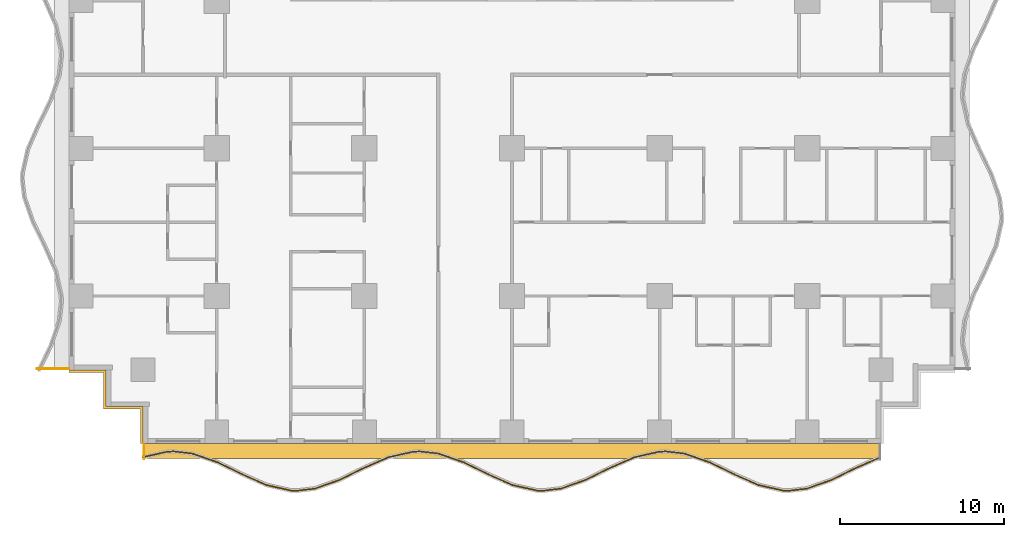
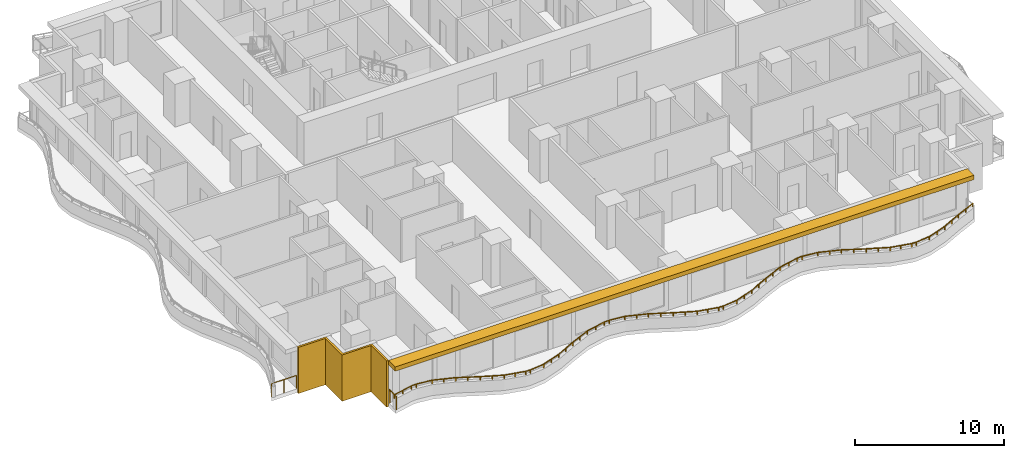
# One storey, part 8 of 14: 3 railings, 2 shading devices.
"""IFC4 building model written with IfcOpenShell, lengths in metres."""

from ifc_helpers import new_model, si_unit, direction, frame, origin, origin_2d, place, context, subcontext, project, spatial, polyline, rectangle, outline, extrude, material, layer, layer_set, type_object, element, save


model = new_model("IFC4")

# Units and contexts
model_context = context("Model", 3, precision=1e-05, world=origin(), true_north=direction((0.0, 1.0)))
body_context = subcontext(model_context, "Body", "Model", "MODEL_VIEW")
ifc_project = project(units=[si_unit("LENGTHUNIT", "METRE"), si_unit("AREAUNIT", "SQUARE_METRE"), si_unit("VOLUMEUNIT", "CUBIC_METRE"), si_unit("PLANEANGLEUNIT", "RADIAN"), si_unit("MASSUNIT", "GRAM", prefix="KILO")], contexts=[model_context])

# Site, building, storey
site_placement = place(None, origin())
site = spatial("IfcSite", under=ifc_project, at=site_placement, CompositionType="ELEMENT")
building_placement = place(site_placement, origin())
building = spatial("IfcBuilding", under=site, at=building_placement, Name="Orbiselva Terraces", CompositionType="ELEMENT")
storey_placement = place(building_placement, frame((0.0, 0.0, 34.0)))
storey = spatial("IfcBuildingStorey", under=building, at=storey_placement, Name="L08", CompositionType="ELEMENT", Elevation=34.0)

# Railings
ifc_material_1 = material(Name="Bonded two-ply safety glass balustrade, stainless steel posts", Category="steel")
railing_type_1 = type_object("IfcRailingType", Name="ENV-BALUSTRADE-1200", PredefinedType="BALUSTRADE", material=ifc_material_1)
railing_1_placement = place(storey_placement, frame((-22.527377, -23.329507, 0.9)))
element("IfcRailing", 1, at=railing_1_placement, inside=storey, type_object=railing_type_1, Name="Balcony balustrade L08 S", PredefinedType="BALUSTRADE", context=body_context, shape_type="SweptSolid", body=[
    extrude(outline(polyline([(0.028868, 0.0), (0.014434, 0.025), (-0.014434, 0.025), (-0.028868, 0.0), (-0.014434, -0.025), (0.014434, -0.025), (0.028868, 0.0)])), frame((0.0, 0.0, 0.275), z_axis=(0.97572138316, 0.219015484484, 0.0), x_axis=(-0.219015484484, 0.97572138316, 0.0)), (0.0, 0.0, 1.0), 1.548694),
    extrude(outline(polyline([(0.028868, 0.0), (0.014434, 0.025), (-0.014434, 0.025), (-0.028868, 0.0), (-0.014434, -0.025), (0.014434, -0.025), (0.028868, 0.0)])), frame((1.511094, 0.339188, 0.275), z_axis=(0.999224734286, 0.03936915532, 0.0), x_axis=(-0.03936915532, 0.999224734286, 0.0)), (0.0, 0.0, 1.0), 0.396376),
    extrude(outline(polyline([(0.028868, 0.0), (0.014434, 0.025), (-0.014434, 0.025), (-0.028868, 0.0), (-0.014434, -0.025), (0.014434, -0.025), (0.028868, 0.0)])), frame((1.907163, 0.354793, 0.275), z_axis=(0.993309551734, -0.115482182324, 0.0), x_axis=(0.115482182324, 0.993309551734, 0.0)), (0.0, 0.0, 1.0), 1.156135),
    extrude(outline(polyline([(0.028868, 0.0), (0.014434, 0.025), (-0.014434, 0.025), (-0.028868, 0.0), (-0.014434, -0.025), (0.014434, -0.025), (0.028868, 0.0)])), frame((3.055563, 0.22128, 0.275), z_axis=(0.943972332783, -0.330024597479, 0.0), x_axis=(0.330024597479, 0.943972332783, 0.0)), (0.0, 0.0, 1.0), 1.610253),
    extrude(outline(polyline([(0.028868, 0.0), (0.014434, 0.025), (-0.014434, 0.025), (-0.028868, 0.0), (-0.014434, -0.025), (0.014434, -0.025), (0.028868, 0.0)])), frame((4.575597, -0.310143, 0.275), z_axis=(0.898578870221, -0.438812048596, 0.0), x_axis=(0.438812048596, 0.898578870221, 0.0)), (0.0, 0.0, 1.0), 1.674225),
    extrude(outline(polyline([(0.028868, 0.0), (0.014434, 0.025), (-0.014434, 0.025), (-0.028868, 0.0), (-0.014434, -0.025), (0.014434, -0.025), (0.028868, 0.0)])), frame((6.08002, -1.044813, 0.275), z_axis=(0.915133363686, -0.403151245402, 0.0), x_axis=(0.403151245402, 0.915133363686, 0.0)), (0.0, 0.0, 1.0), 1.624475),
    extrude(outline(polyline([(0.028868, 0.0), (0.014434, 0.025), (-0.014434, 0.025), (-0.028868, 0.0), (-0.014434, -0.025), (0.014434, -0.025), (0.028868, 0.0)])), frame((7.566631, -1.699722, 0.275), z_axis=(0.975721325753, -0.219015740235, 0.0), x_axis=(0.219015740235, 0.975721325753, 0.0)), (0.0, 0.0, 1.0), 1.513782),
    extrude(outline(polyline([(0.028868, 0.0), (0.014434, 0.025), (-0.014434, 0.025), (-0.028868, 0.0), (-0.014434, -0.025), (0.014434, -0.025), (0.028868, 0.0)])), frame((9.04366, -2.031264, 0.275), z_axis=(0.999224931454, -0.039364150694, 0.0), x_axis=(0.039364150694, 0.999224931454, 0.0)), (0.0, 0.0, 1.0), 0.354206),
    extrude(outline(polyline([(0.028868, 0.0), (0.014434, 0.025), (-0.014434, 0.025), (-0.028868, 0.0), (-0.014434, -0.025), (0.014434, -0.025), (0.028868, 0.0)])), frame((9.397591, -2.045207, 0.275), z_axis=(0.993309658409, 0.115481264762, 0.0), x_axis=(-0.115481264762, 0.993309658409, 0.0)), (0.0, 0.0, 1.0), 1.10902),
    extrude(outline(polyline([(0.028868, 0.0), (0.014434, 0.025), (-0.014434, 0.025), (-0.028868, 0.0), (-0.014434, -0.025), (0.014434, -0.025), (0.028868, 0.0)])), frame((10.499191, -1.917136, 0.275), z_axis=(0.943972277814, 0.330024754707, 0.0), x_axis=(-0.330024754707, 0.943972277814, 0.0)), (0.0, 0.0, 1.0), 1.567807),
    extrude(outline(polyline([(0.028868, 0.0), (0.014434, 0.025), (-0.014434, 0.025), (-0.028868, 0.0), (-0.014434, -0.025), (0.014434, -0.025), (0.028868, 0.0)])), frame((11.979157, -1.399721, 0.275), z_axis=(0.89857890432, 0.438811978768, 0.0), x_axis=(-0.438811978768, 0.89857890432, 0.0)), (0.0, 0.0, 1.0), 1.66438),
    extrude(outline(polyline([(0.028868, 0.0), (0.014434, 0.025), (-0.014434, 0.025), (-0.028868, 0.0), (-0.014434, -0.025), (0.014434, -0.025), (0.028868, 0.0)])), frame((13.474734, -0.669371, 0.275), z_axis=(0.915133527237, 0.403150874148, 0.0), x_axis=(-0.403150874148, 0.915133527237, 0.0)), (0.0, 0.0, 1.0), 1.653736),
    extrude(outline(polyline([(0.028868, 0.0), (0.014434, 0.025), (-0.014434, 0.025), (-0.028868, 0.0), (-0.014434, -0.025), (0.014434, -0.025), (0.028868, 0.0)])), frame((14.988123, -0.002666, 0.275), z_axis=(0.97572137947, 0.219015500924, 0.0), x_axis=(-0.219015500924, 0.97572137947, 0.0)), (0.0, 0.0, 1.0), 1.560867),
    extrude(outline(polyline([(0.028868, 0.0), (0.014434, 0.025), (-0.014434, 0.025), (-0.028868, 0.0), (-0.014434, -0.025), (0.014434, -0.025), (0.028868, 0.0)])), frame((16.511094, 0.339188, 0.275), z_axis=(0.999224734286, 0.03936915532, 0.0), x_axis=(-0.03936915532, 0.999224734286, 0.0)), (0.0, 0.0, 1.0), 0.396376),
    extrude(outline(polyline([(0.028868, 0.0), (0.014434, 0.025), (-0.014434, 0.025), (-0.028868, 0.0), (-0.014434, -0.025), (0.014434, -0.025), (0.028868, 0.0)])), frame((16.907163, 0.354793, 0.275), z_axis=(0.993309551734, -0.115482182324, 0.0), x_axis=(0.115482182324, 0.993309551734, 0.0)), (0.0, 0.0, 1.0), 1.156135),
    extrude(outline(polyline([(0.028868, 0.0), (0.014434, 0.025), (-0.014434, 0.025), (-0.028868, 0.0), (-0.014434, -0.025), (0.014434, -0.025), (0.028868, 0.0)])), frame((18.055563, 0.22128, 0.275), z_axis=(0.943972332783, -0.330024597479, 0.0), x_axis=(0.330024597479, 0.943972332783, 0.0)), (0.0, 0.0, 1.0), 1.610253),
    extrude(outline(polyline([(0.028868, 0.0), (0.014434, 0.025), (-0.014434, 0.025), (-0.028868, 0.0), (-0.014434, -0.025), (0.014434, -0.025), (0.028868, 0.0)])), frame((19.575597, -0.310143, 0.275), z_axis=(0.898578870221, -0.438812048596, 0.0), x_axis=(0.438812048596, 0.898578870221, 0.0)), (0.0, 0.0, 1.0), 1.674225),
    extrude(outline(polyline([(0.028868, 0.0), (0.014434, 0.025), (-0.014434, 0.025), (-0.028868, 0.0), (-0.014434, -0.025), (0.014434, -0.025), (0.028868, 0.0)])), frame((21.08002, -1.044813, 0.275), z_axis=(0.915133363686, -0.403151245402, 0.0), x_axis=(0.403151245402, 0.915133363686, 0.0)), (0.0, 0.0, 1.0), 1.624475),
    extrude(outline(polyline([(0.028868, 0.0), (0.014434, 0.025), (-0.014434, 0.025), (-0.028868, 0.0), (-0.014434, -0.025), (0.014434, -0.025), (0.028868, 0.0)])), frame((22.566631, -1.699722, 0.275), z_axis=(0.975721325753, -0.219015740235, 0.0), x_axis=(0.219015740235, 0.975721325753, 0.0)), (0.0, 0.0, 1.0), 1.513782),
    extrude(outline(polyline([(0.028868, 0.0), (0.014434, 0.025), (-0.014434, 0.025), (-0.028868, 0.0), (-0.014434, -0.025), (0.014434, -0.025), (0.028868, 0.0)])), frame((24.04366, -2.031264, 0.275), z_axis=(0.999224931454, -0.039364150694, 0.0), x_axis=(0.039364150694, 0.999224931454, 0.0)), (0.0, 0.0, 1.0), 0.354206),
    extrude(outline(polyline([(0.028868, 0.0), (0.014434, 0.025), (-0.014434, 0.025), (-0.028868, 0.0), (-0.014434, -0.025), (0.014434, -0.025), (0.028868, 0.0)])), frame((24.397591, -2.045207, 0.275), z_axis=(0.993309658409, 0.115481264762, 0.0), x_axis=(-0.115481264762, 0.993309658409, 0.0)), (0.0, 0.0, 1.0), 1.10902),
    extrude(outline(polyline([(0.028868, 0.0), (0.014434, 0.025), (-0.014434, 0.025), (-0.028868, 0.0), (-0.014434, -0.025), (0.014434, -0.025), (0.028868, 0.0)])), frame((25.499191, -1.917136, 0.275), z_axis=(0.943972277814, 0.330024754707, 0.0), x_axis=(-0.330024754707, 0.943972277814, 0.0)), (0.0, 0.0, 1.0), 1.567807),
    extrude(outline(polyline([(0.028868, 0.0), (0.014434, 0.025), (-0.014434, 0.025), (-0.028868, 0.0), (-0.014434, -0.025), (0.014434, -0.025), (0.028868, 0.0)])), frame((26.979157, -1.399721, 0.275), z_axis=(0.89857890432, 0.438811978768, 0.0), x_axis=(-0.438811978768, 0.89857890432, 0.0)), (0.0, 0.0, 1.0), 1.66438),
    extrude(outline(polyline([(0.028868, 0.0), (0.014434, 0.025), (-0.014434, 0.025), (-0.028868, 0.0), (-0.014434, -0.025), (0.014434, -0.025), (0.028868, 0.0)])), frame((28.474734, -0.669371, 0.275), z_axis=(0.915133527237, 0.403150874148, 0.0), x_axis=(-0.403150874148, 0.915133527237, 0.0)), (0.0, 0.0, 1.0), 1.653736),
    extrude(outline(polyline([(0.028868, 0.0), (0.014434, 0.025), (-0.014434, 0.025), (-0.028868, 0.0), (-0.014434, -0.025), (0.014434, -0.025), (0.028868, 0.0)])), frame((29.988123, -0.002666, 0.275), z_axis=(0.97572137947, 0.219015500924, 0.0), x_axis=(-0.219015500924, 0.97572137947, 0.0)), (0.0, 0.0, 1.0), 1.560867),
    extrude(outline(polyline([(0.028868, 0.0), (0.014434, 0.025), (-0.014434, 0.025), (-0.028868, 0.0), (-0.014434, -0.025), (0.014434, -0.025), (0.028868, 0.0)])), frame((31.511094, 0.339188, 0.275), z_axis=(0.999224734286, 0.03936915532, 0.0), x_axis=(-0.03936915532, 0.999224734286, 0.0)), (0.0, 0.0, 1.0), 0.396376),
    extrude(outline(polyline([(0.028868, 0.0), (0.014434, 0.025), (-0.014434, 0.025), (-0.028868, 0.0), (-0.014434, -0.025), (0.014434, -0.025), (0.028868, 0.0)])), frame((31.907163, 0.354793, 0.275), z_axis=(0.993309551734, -0.115482182324, 0.0), x_axis=(0.115482182324, 0.993309551734, 0.0)), (0.0, 0.0, 1.0), 1.156135),
    extrude(outline(polyline([(0.028868, 0.0), (0.014434, 0.025), (-0.014434, 0.025), (-0.028868, 0.0), (-0.014434, -0.025), (0.014434, -0.025), (0.028868, 0.0)])), frame((33.055563, 0.22128, 0.275), z_axis=(0.943972332783, -0.330024597479, 0.0), x_axis=(0.330024597479, 0.943972332783, 0.0)), (0.0, 0.0, 1.0), 1.610253),
    extrude(outline(polyline([(0.028868, 0.0), (0.014434, 0.025), (-0.014434, 0.025), (-0.028868, 0.0), (-0.014434, -0.025), (0.014434, -0.025), (0.028868, 0.0)])), frame((34.575597, -0.310143, 0.275), z_axis=(0.898578870221, -0.438812048596, 0.0), x_axis=(0.438812048596, 0.898578870221, 0.0)), (0.0, 0.0, 1.0), 1.674225),
    extrude(outline(polyline([(0.028868, 0.0), (0.014434, 0.025), (-0.014434, 0.025), (-0.028868, 0.0), (-0.014434, -0.025), (0.014434, -0.025), (0.028868, 0.0)])), frame((36.08002, -1.044813, 0.275), z_axis=(0.915133363686, -0.403151245402, 0.0), x_axis=(0.403151245402, 0.915133363686, 0.0)), (0.0, 0.0, 1.0), 1.624475),
    extrude(outline(polyline([(0.028868, 0.0), (0.014434, 0.025), (-0.014434, 0.025), (-0.028868, 0.0), (-0.014434, -0.025), (0.014434, -0.025), (0.028868, 0.0)])), frame((37.566631, -1.699722, 0.275), z_axis=(0.975721325753, -0.219015740235, 0.0), x_axis=(0.219015740235, 0.975721325753, 0.0)), (0.0, 0.0, 1.0), 1.513782),
    extrude(outline(polyline([(0.028868, 0.0), (0.014434, 0.025), (-0.014434, 0.025), (-0.028868, 0.0), (-0.014434, -0.025), (0.014434, -0.025), (0.028868, 0.0)])), frame((39.04366, -2.031264, 0.275), z_axis=(0.999224931454, -0.039364150694, 0.0), x_axis=(0.039364150694, 0.999224931454, 0.0)), (0.0, 0.0, 1.0), 0.354206),
    extrude(outline(polyline([(0.028868, 0.0), (0.014434, 0.025), (-0.014434, 0.025), (-0.028868, 0.0), (-0.014434, -0.025), (0.014434, -0.025), (0.028868, 0.0)])), frame((39.397591, -2.045207, 0.275), z_axis=(0.993309658409, 0.115481264762, 0.0), x_axis=(-0.115481264762, 0.993309658409, 0.0)), (0.0, 0.0, 1.0), 1.10902),
    extrude(outline(polyline([(0.028868, 0.0), (0.014434, 0.025), (-0.014434, 0.025), (-0.028868, 0.0), (-0.014434, -0.025), (0.014434, -0.025), (0.028868, 0.0)])), frame((40.499191, -1.917136, 0.275), z_axis=(0.943972277814, 0.330024754707, 0.0), x_axis=(-0.330024754707, 0.943972277814, 0.0)), (0.0, 0.0, 1.0), 1.567807),
    extrude(outline(polyline([(0.028868, 0.0), (0.014434, 0.025), (-0.014434, 0.025), (-0.028868, 0.0), (-0.014434, -0.025), (0.014434, -0.025), (0.028868, 0.0)])), frame((41.979157, -1.399721, 0.275), z_axis=(0.89857890432, 0.438811978768, 0.0), x_axis=(-0.438811978768, 0.89857890432, 0.0)), (0.0, 0.0, 1.0), 1.66438),
    extrude(outline(polyline([(0.028868, 0.0), (0.014434, 0.025), (-0.014434, 0.025), (-0.028868, 0.0), (-0.014434, -0.025), (0.014434, -0.025), (0.028868, 0.0)])), frame((43.474734, -0.669371, 0.275), z_axis=(0.915133394491, 0.403151175476, 0.0), x_axis=(-0.403151175476, 0.915133394491, 0.0)), (0.0, 0.0, 1.0), 1.641563),
    extrude(rectangle(XDim=0.05, YDim=0.05, at=origin_2d()), origin(), (0.0, 0.0, 1.0), 0.25),
    extrude(rectangle(XDim=0.05, YDim=0.05, at=origin_2d()), frame((0.755547, 0.169594, 0.0)), (0.0, 0.0, 1.0), 0.25),
    extrude(rectangle(XDim=0.05, YDim=0.05, at=origin_2d()), frame((1.511094, 0.339188, 0.0)), (0.0, 0.0, 1.0), 0.25),
    extrude(rectangle(XDim=0.05, YDim=0.05, at=origin_2d()), frame((1.907163, 0.354793, 0.0)), (0.0, 0.0, 1.0), 0.25),
    extrude(rectangle(XDim=0.05, YDim=0.05, at=origin_2d()), frame((3.055563, 0.22128, 0.0)), (0.0, 0.0, 1.0), 0.25),
    extrude(rectangle(XDim=0.05, YDim=0.05, at=origin_2d()), frame((3.81558, -0.044431, 0.0)), (0.0, 0.0, 1.0), 0.25),
    extrude(rectangle(XDim=0.05, YDim=0.05, at=origin_2d()), frame((4.575597, -0.310143, 0.0)), (0.0, 0.0, 1.0), 0.25),
    extrude(rectangle(XDim=0.05, YDim=0.05, at=origin_2d()), frame((5.327809, -0.677478, 0.0)), (0.0, 0.0, 1.0), 0.25),
    extrude(rectangle(XDim=0.05, YDim=0.05, at=origin_2d()), frame((6.08002, -1.044813, 0.0)), (0.0, 0.0, 1.0), 0.25),
    extrude(rectangle(XDim=0.05, YDim=0.05, at=origin_2d()), frame((6.823326, -1.372268, 0.0)), (0.0, 0.0, 1.0), 0.25),
    extrude(rectangle(XDim=0.05, YDim=0.05, at=origin_2d()), frame((7.566631, -1.699722, 0.0)), (0.0, 0.0, 1.0), 0.25),
    extrude(rectangle(XDim=0.05, YDim=0.05, at=origin_2d()), frame((8.305146, -1.865493, 0.0)), (0.0, 0.0, 1.0), 0.25),
    extrude(rectangle(XDim=0.05, YDim=0.05, at=origin_2d()), frame((9.04366, -2.031264, 0.0)), (0.0, 0.0, 1.0), 0.25),
    extrude(rectangle(XDim=0.05, YDim=0.05, at=origin_2d()), frame((9.397591, -2.045207, 0.0)), (0.0, 0.0, 1.0), 0.25),
    extrude(rectangle(XDim=0.05, YDim=0.05, at=origin_2d()), frame((10.499191, -1.917136, 0.0)), (0.0, 0.0, 1.0), 0.25),
    extrude(rectangle(XDim=0.05, YDim=0.05, at=origin_2d()), frame((11.239174, -1.658428, 0.0)), (0.0, 0.0, 1.0), 0.25),
    extrude(rectangle(XDim=0.05, YDim=0.05, at=origin_2d()), frame((11.979157, -1.399721, 0.0)), (0.0, 0.0, 1.0), 0.25),
    extrude(rectangle(XDim=0.05, YDim=0.05, at=origin_2d()), frame((12.726946, -1.034546, 0.0)), (0.0, 0.0, 1.0), 0.25),
    extrude(rectangle(XDim=0.05, YDim=0.05, at=origin_2d()), frame((13.474734, -0.669371, 0.0)), (0.0, 0.0, 1.0), 0.25),
    extrude(rectangle(XDim=0.05, YDim=0.05, at=origin_2d()), frame((14.231429, -0.336019, 0.0)), (0.0, 0.0, 1.0), 0.25),
    extrude(rectangle(XDim=0.05, YDim=0.05, at=origin_2d()), frame((14.988123, -0.002666, 0.0)), (0.0, 0.0, 1.0), 0.25),
    extrude(rectangle(XDim=0.05, YDim=0.05, at=origin_2d()), frame((15.749608, 0.168261, 0.0)), (0.0, 0.0, 1.0), 0.25),
    extrude(rectangle(XDim=0.05, YDim=0.05, at=origin_2d()), frame((16.511094, 0.339188, 0.0)), (0.0, 0.0, 1.0), 0.25),
    extrude(rectangle(XDim=0.05, YDim=0.05, at=origin_2d()), frame((16.907163, 0.354793, 0.0)), (0.0, 0.0, 1.0), 0.25),
    extrude(rectangle(XDim=0.05, YDim=0.05, at=origin_2d()), frame((18.055563, 0.22128, 0.0)), (0.0, 0.0, 1.0), 0.25),
    extrude(rectangle(XDim=0.05, YDim=0.05, at=origin_2d()), frame((18.81558, -0.044431, 0.0)), (0.0, 0.0, 1.0), 0.25),
    extrude(rectangle(XDim=0.05, YDim=0.05, at=origin_2d()), frame((19.575597, -0.310143, 0.0)), (0.0, 0.0, 1.0), 0.25),
    extrude(rectangle(XDim=0.05, YDim=0.05, at=origin_2d()), frame((20.327809, -0.677478, 0.0)), (0.0, 0.0, 1.0), 0.25),
    extrude(rectangle(XDim=0.05, YDim=0.05, at=origin_2d()), frame((21.08002, -1.044813, 0.0)), (0.0, 0.0, 1.0), 0.25),
    extrude(rectangle(XDim=0.05, YDim=0.05, at=origin_2d()), frame((21.823326, -1.372268, 0.0)), (0.0, 0.0, 1.0), 0.25),
    extrude(rectangle(XDim=0.05, YDim=0.05, at=origin_2d()), frame((22.566631, -1.699722, 0.0)), (0.0, 0.0, 1.0), 0.25),
    extrude(rectangle(XDim=0.05, YDim=0.05, at=origin_2d()), frame((23.305146, -1.865493, 0.0)), (0.0, 0.0, 1.0), 0.25),
    extrude(rectangle(XDim=0.05, YDim=0.05, at=origin_2d()), frame((24.04366, -2.031264, 0.0)), (0.0, 0.0, 1.0), 0.25),
    extrude(rectangle(XDim=0.05, YDim=0.05, at=origin_2d()), frame((24.397591, -2.045207, 0.0)), (0.0, 0.0, 1.0), 0.25),
    extrude(rectangle(XDim=0.05, YDim=0.05, at=origin_2d()), frame((25.499191, -1.917136, 0.0)), (0.0, 0.0, 1.0), 0.25),
    extrude(rectangle(XDim=0.05, YDim=0.05, at=origin_2d()), frame((26.239174, -1.658428, 0.0)), (0.0, 0.0, 1.0), 0.25),
    extrude(rectangle(XDim=0.05, YDim=0.05, at=origin_2d()), frame((26.979157, -1.399721, 0.0)), (0.0, 0.0, 1.0), 0.25),
    extrude(rectangle(XDim=0.05, YDim=0.05, at=origin_2d()), frame((27.726946, -1.034546, 0.0)), (0.0, 0.0, 1.0), 0.25),
    extrude(rectangle(XDim=0.05, YDim=0.05, at=origin_2d()), frame((28.474734, -0.669371, 0.0)), (0.0, 0.0, 1.0), 0.25),
    extrude(rectangle(XDim=0.05, YDim=0.05, at=origin_2d()), frame((29.231428, -0.336019, 0.0)), (0.0, 0.0, 1.0), 0.25),
    extrude(rectangle(XDim=0.05, YDim=0.05, at=origin_2d()), frame((29.988123, -0.002666, 0.0)), (0.0, 0.0, 1.0), 0.25),
    extrude(rectangle(XDim=0.05, YDim=0.05, at=origin_2d()), frame((30.749608, 0.168261, 0.0)), (0.0, 0.0, 1.0), 0.25),
    extrude(rectangle(XDim=0.05, YDim=0.05, at=origin_2d()), frame((31.511094, 0.339188, 0.0)), (0.0, 0.0, 1.0), 0.25),
    extrude(rectangle(XDim=0.05, YDim=0.05, at=origin_2d()), frame((31.907163, 0.354793, 0.0)), (0.0, 0.0, 1.0), 0.25),
    extrude(rectangle(XDim=0.05, YDim=0.05, at=origin_2d()), frame((33.055563, 0.22128, 0.0)), (0.0, 0.0, 1.0), 0.25),
    extrude(rectangle(XDim=0.05, YDim=0.05, at=origin_2d()), frame((33.81558, -0.044431, 0.0)), (0.0, 0.0, 1.0), 0.25),
    extrude(rectangle(XDim=0.05, YDim=0.05, at=origin_2d()), frame((34.575597, -0.310143, 0.0)), (0.0, 0.0, 1.0), 0.25),
    extrude(rectangle(XDim=0.05, YDim=0.05, at=origin_2d()), frame((35.327808, -0.677478, 0.0)), (0.0, 0.0, 1.0), 0.25),
    extrude(rectangle(XDim=0.05, YDim=0.05, at=origin_2d()), frame((36.08002, -1.044813, 0.0)), (0.0, 0.0, 1.0), 0.25),
    extrude(rectangle(XDim=0.05, YDim=0.05, at=origin_2d()), frame((36.823326, -1.372268, 0.0)), (0.0, 0.0, 1.0), 0.25),
    extrude(rectangle(XDim=0.05, YDim=0.05, at=origin_2d()), frame((37.566631, -1.699722, 0.0)), (0.0, 0.0, 1.0), 0.25),
    extrude(rectangle(XDim=0.05, YDim=0.05, at=origin_2d()), frame((38.305146, -1.865493, 0.0)), (0.0, 0.0, 1.0), 0.25),
    extrude(rectangle(XDim=0.05, YDim=0.05, at=origin_2d()), frame((39.04366, -2.031264, 0.0)), (0.0, 0.0, 1.0), 0.25),
    extrude(rectangle(XDim=0.05, YDim=0.05, at=origin_2d()), frame((39.397591, -2.045207, 0.0)), (0.0, 0.0, 1.0), 0.25),
    extrude(rectangle(XDim=0.05, YDim=0.05, at=origin_2d()), frame((40.499191, -1.917136, 0.0)), (0.0, 0.0, 1.0), 0.25),
    extrude(rectangle(XDim=0.05, YDim=0.05, at=origin_2d()), frame((41.239174, -1.658428, 0.0)), (0.0, 0.0, 1.0), 0.25),
    extrude(rectangle(XDim=0.05, YDim=0.05, at=origin_2d()), frame((41.979157, -1.399721, 0.0)), (0.0, 0.0, 1.0), 0.25),
    extrude(rectangle(XDim=0.05, YDim=0.05, at=origin_2d()), frame((42.726946, -1.034546, 0.0)), (0.0, 0.0, 1.0), 0.25),
    extrude(rectangle(XDim=0.05, YDim=0.05, at=origin_2d()), frame((43.474734, -0.669371, 0.0)), (0.0, 0.0, 1.0), 0.25),
    extrude(rectangle(XDim=0.05, YDim=0.05, at=origin_2d()), frame((44.225858, -0.338472, 0.0)), (0.0, 0.0, 1.0), 0.25),
    extrude(rectangle(XDim=0.05, YDim=0.05, at=origin_2d()), frame((44.976983, -0.007573, 0.0)), (0.0, 0.0, 1.0), 0.25),
])
ifc_material_2 = material(Name="Stainless steel rail and posts", Category="steel")
railing_type_2 = type_object("IfcRailingType", Name="ENV-GUARD-1105", PredefinedType="BALUSTRADE", material=ifc_material_2)
railing_2_placement = place(storey_placement, frame((-22.44, -23.430416, 0.0)))
element("IfcRailing", 2, at=railing_2_placement, inside=storey, type_object=railing_type_2, Name="Balcony end guard L08 S", PredefinedType="BALUSTRADE", context=body_context, shape_type="SweptSolid", body=[
    extrude(outline(polyline([(0.028868, 0.0), (0.014434, 0.025), (-0.014434, 0.025), (-0.028868, 0.0), (-0.014434, -0.025), (0.014434, -0.025), (0.028868, 0.0)])), frame((0.0, 0.0, 1.08), z_axis=(0.0, 1.0, 0.0), x_axis=(-1.0, 0.0, 0.0)), (0.0, 0.0, 1.0), 0.905416),
    extrude(rectangle(XDim=0.05, YDim=0.05, at=origin_2d()), origin(), (0.0, 0.0, 1.0), 1.055),
    extrude(rectangle(XDim=0.05, YDim=0.05, at=origin_2d()), frame((0.0, 0.905416, 0.0)), (0.0, 0.0, 1.0), 1.055),
])
railing_3_placement = place(storey_placement, frame((-28.957877, -17.94, 0.0)))
element("IfcRailing", 3, at=railing_3_placement, inside=storey, type_object=railing_type_2, Name="Balcony end guard L08 W", PredefinedType="BALUSTRADE", context=body_context, shape_type="SweptSolid", body=[
    extrude(outline(polyline([(0.028868, 0.0), (0.014434, 0.025), (-0.014434, 0.025), (-0.028868, 0.0), (-0.014434, -0.025), (0.014434, -0.025), (0.028868, 0.0)])), frame((0.0, 0.0, 1.08), z_axis=(1.0, 0.0, 0.0), x_axis=(0.0, 1.0, 0.0)), (0.0, 0.0, 1.0), 1.932877),
    extrude(rectangle(XDim=0.05, YDim=0.05, at=origin_2d()), origin(), (0.0, 0.0, 1.0), 1.055),
    extrude(rectangle(XDim=0.05, YDim=0.05, at=origin_2d()), frame((0.966439, 0.0, 0.0)), (0.0, 0.0, 1.0), 1.055),
    extrude(rectangle(XDim=0.05, YDim=0.05, at=origin_2d()), frame((1.932877, 0.0, 0.0)), (0.0, 0.0, 1.0), 1.055),
])

# Shading devices
ifc_material_3 = material(Name="Terracotta louvre screen", Category="masonry")
ifc_layer_1 = layer(ifc_material_3, 0.15)
ifc_layer_set_1 = layer_set([ifc_layer_1], Name="Terracotta louvre screen")
shading_device_type_1 = type_object("IfcShadingDeviceType", Name="ENV-SCREEN-150", PredefinedType="USERDEFINED", material=ifc_layer_set_1)
shading_device_1_placement = place(storey_placement, frame((0.0, 0.0, -0.3)))
element("IfcShadingDevice", 4, at=shading_device_1_placement, inside=storey, type_object=shading_device_type_1, Name="Louvre screen L08 SW", ObjectType="SCREEN", PredefinedType="USERDEFINED", context=body_context, shape_type="SweptSolid", body=[
    extrude(outline(polyline([(-27.0, -18.15), (-24.9, -18.15), (-24.9, -20.4), (-22.65, -20.4), (-22.65, -22.5), (-22.5, -22.5), (-22.5, -20.25), (-24.75, -20.25), (-24.75, -18.0), (-27.0, -18.0), (-27.0, -18.15)])), origin(), (0.0, 0.0, 1.0), 3.8),
])
ifc_material_4 = material(Name="Terracotta baguette sunshade", Category="masonry")
ifc_layer_2 = layer(ifc_material_4, 0.35)
ifc_layer_set_2 = layer_set([ifc_layer_2], Name="Terracotta baguette sunshade")
shading_device_type_2 = type_object("IfcShadingDeviceType", Name="ENV-SUNSHADE-900x350", PredefinedType="USERDEFINED", material=ifc_layer_set_2)
shading_device_2_placement = place(storey_placement, frame((0.0, 0.0, 3.15)))
element("IfcShadingDevice", 5, at=shading_device_2_placement, inside=storey, type_object=shading_device_type_2, Name="Sunshade band L08 S", ObjectType="SUNSHADE", PredefinedType="USERDEFINED", context=body_context, shape_type="SweptSolid", body=[
    extrude(outline(polyline([(-22.5, -23.4), (22.5, -23.4), (22.5, -22.5), (-22.5, -22.5), (-22.5, -23.4)])), origin(), (0.0, 0.0, 1.0), 0.35),
])

save(model, "model.ifc")
